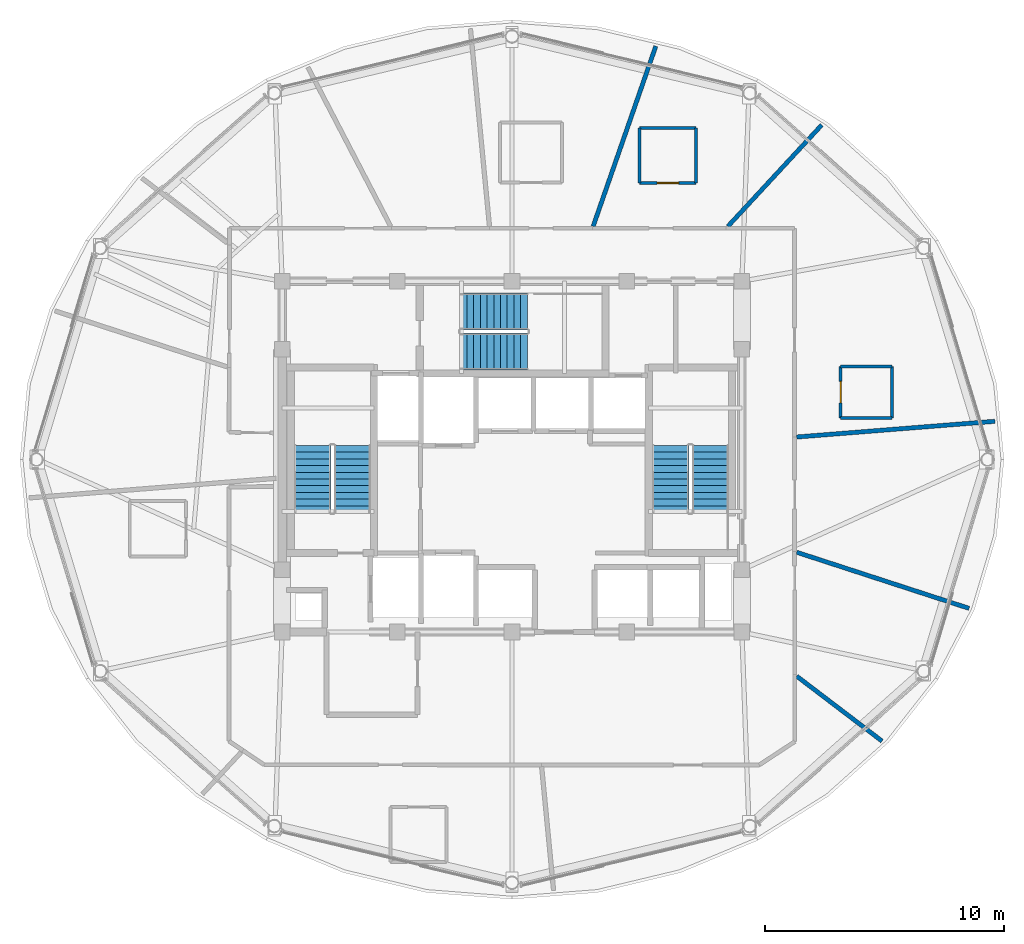
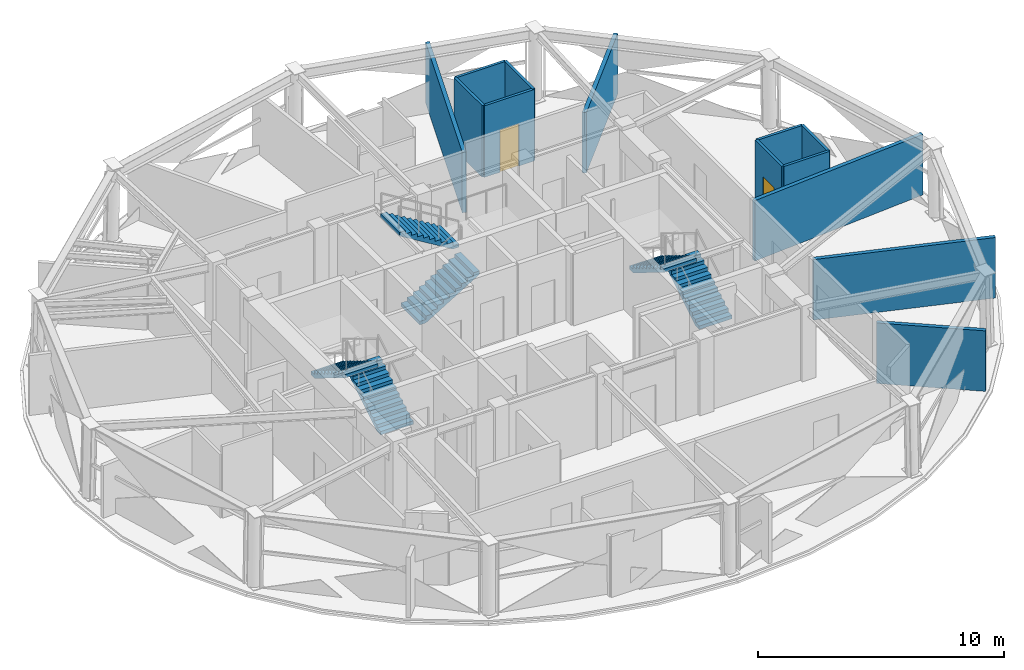
# One storey, part 11 of 15: 13 walls, 6 stair flights, 2 doors, 2 openings, 3 elements without a shape of their own.
"""IFC4 building model written with IfcOpenShell, lengths in metres."""

from ifc_helpers import new_model, si_unit, direction, frame, frame_2d, origin, place, context, subcontext, project, spatial, polyline, rectangle, outline, extrude, material, layer, layer_set, type_object, element, fill, aggregate, save


model = new_model("IFC4")

# Units and contexts
model_context = context("Model", 3, precision=1e-05, world=origin(), true_north=direction((0.0, 1.0)))
body_context = subcontext(model_context, "Body", "Model", "MODEL_VIEW")
ifc_project = project(units=[si_unit("LENGTHUNIT", "METRE"), si_unit("AREAUNIT", "SQUARE_METRE"), si_unit("VOLUMEUNIT", "CUBIC_METRE"), si_unit("PLANEANGLEUNIT", "RADIAN"), si_unit("MASSUNIT", "GRAM", prefix="KILO")], contexts=[model_context])

# Site, building, storey
site_placement = place(None, origin())
site = spatial("IfcSite", under=ifc_project, at=site_placement, CompositionType="ELEMENT")
building_placement = place(site_placement, origin())
building = spatial("IfcBuilding", under=site, at=building_placement, Name="Vantalir Tower", CompositionType="ELEMENT")
storey_placement = place(building_placement, frame((0.0, 0.0, 263.85009765625)))
storey = spatial("IfcBuildingStorey", under=building, at=storey_placement, Name="L66", CompositionType="ELEMENT", Elevation=263.85009765625)

# Walls
ifc_material_1 = material(Name="Moisture-resistant en-suite partition", Category="gypsum")
ifc_layer_1 = layer(ifc_material_1, 0.125)
ifc_layer_set_1 = layer_set([ifc_layer_1], Name="Moisture-resistant en-suite partition")
wall_type_1 = type_object("IfcWallType", Name="WL-BATH-125", PredefinedType="PARTITIONING", material=ifc_layer_set_1)
for number, where, z_axis, x_axis, name in (
    (1, (45.22509765625, 26.742919921875, 0.0), (0.0, 0.0, 1.0), (1.0, 0.0, 0.0), "L66 En-suite 01 South Wall"),
    (2, (45.22509765625, 28.89306640625, 0.0), (0.0, 0.0, 1.0), (1.0, 0.0, 0.0), "L66 En-suite 01 North Wall"),
):
    element("IfcWall", number, at=place(storey_placement, frame(where, z_axis=z_axis, x_axis=x_axis)), inside=storey, type_object=wall_type_1, Name=name, PredefinedType="PARTITIONING", context=body_context, shape_type="SweptSolid", body=[
        extrude(rectangle(XDim=2.14990234375, YDim=0.125, at=frame_2d((1.074951171875, 0.0))), origin(), (0.0, 0.0, 1.0), 3.5498046875),
    ])

# Wall, opening, door
wall_1_placement = place(storey_placement, frame((45.22509765625, 26.742919921875, 0.0), z_axis=(0.0, 0.0, 1.0), x_axis=(0.0, 1.0, 0.0)))
wall_1 = element("IfcWall", 3, at=wall_1_placement, inside=storey, type_object=wall_type_1, Name="L66 En-suite 01 West Wall", PredefinedType="PARTITIONING", context=body_context, shape_type="SweptSolid", body=[
    extrude(rectangle(XDim=2.150146484375, YDim=0.125, at=frame_2d((1.0751953125, 0.0))), origin(), (0.0, 0.0, 1.0), 3.5498046875),
])
opening_1_placement = place(wall_1_placement, frame((0.625, 0.0, 0.0)))
opening_1 = element("IfcOpeningElement", 4, at=opening_1_placement, cuts=wall_1, Name="Opening D-WC", PredefinedType="OPENING", context=body_context, shape_type="SweptSolid", body=[
    extrude(rectangle(XDim=0.89990234375, YDim=2.10009765625, at=frame_2d((0.449951171875, 1.050048828125))), frame((0.0, 0.072509765625, 0.0), z_axis=(0.0, -1.0, 0.0), x_axis=(1.0, 0.0, 0.0)), (0.0, 0.0, 1.0), 0.14501953125),
])
ifc_material_2 = material(Name="Moisture-resistant hardwood door", Category="wood")
door_type = type_object("IfcDoorType", Name="DR-ENSUITE-900", OperationType="NOTDEFINED", PredefinedType="DOOR", material=ifc_material_2)
door_1_placement = place(opening_1_placement, frame((0.89990234375, 0.0, 0.0), z_axis=(0.0, 0.0, 1.0), x_axis=(-1.0, 0.0, 0.0)))
door_1 = element("IfcDoor", 5, at=door_1_placement, inside=storey, type_object=door_type, Name="L66 En-suite 01 Door", OperationType="SINGLE_SWING_RIGHT", OverallHeight=2.10009765625, OverallWidth=0.89990234375, PredefinedType="DOOR", context=body_context, shape_type="SweptSolid", body=[
    extrude(rectangle(XDim=0.89990234375, YDim=2.10009765625, at=frame_2d((0.449951171875, 1.050048828125))), frame((0.0, 0.02490234375, 0.0), z_axis=(0.0, -1.0, 0.0), x_axis=(1.0, 0.0, 0.0)), (0.0, 0.0, 1.0), 0.050048828125),
])
fill(opening_1, door_1)

# Wall
wall_2_placement = place(storey_placement, frame((47.375, 26.742919921875, 0.0), z_axis=(0.0, 0.0, 1.0), x_axis=(0.0, 1.0, 0.0)))
element("IfcWall", 6, at=wall_2_placement, inside=storey, type_object=wall_type_1, Name="L66 En-suite 01 East Wall", PredefinedType="PARTITIONING", context=body_context, shape_type="SweptSolid", body=[
    extrude(rectangle(XDim=2.150146484375, YDim=0.125, at=frame_2d((1.0751953125, 0.0))), origin(), (0.0, 0.0, 1.0), 3.5498046875),
])

# Wall, opening, door
wall_3_placement = place(storey_placement, frame((36.8330078125, 36.550048828125, 0.0), z_axis=(0.0, 0.0, 1.0), x_axis=(1.0, 0.0, 0.0)))
wall_3 = element("IfcWall", 7, at=wall_3_placement, inside=storey, type_object=wall_type_1, Name="L66 En-suite 02 South Wall", PredefinedType="PARTITIONING", context=body_context, shape_type="SweptSolid", body=[
    extrude(rectangle(XDim=2.35009765625, YDim=0.125, at=frame_2d((1.175048828125, 0.0))), origin(), (0.0, 0.0, 1.0), 3.5498046875),
])
opening_2_placement = place(wall_3_placement, frame((0.72509765625, 0.0, 0.0)))
opening_2 = element("IfcOpeningElement", 8, at=opening_2_placement, cuts=wall_3, Name="Opening D-WC", PredefinedType="OPENING", context=body_context, shape_type="SweptSolid", body=[
    extrude(rectangle(XDim=0.89990234375, YDim=2.10009765625, at=frame_2d((0.449951171875, 1.050048828125))), frame((0.0, 0.072509765625, 0.0), z_axis=(0.0, -1.0, 0.0), x_axis=(1.0, 0.0, 0.0)), (0.0, 0.0, 1.0), 0.14501953125),
])
door_2_placement = place(opening_2_placement, origin())
door_2 = element("IfcDoor", 9, at=door_2_placement, inside=storey, type_object=door_type, Name="L66 En-suite 02 Door", OperationType="SINGLE_SWING_LEFT", OverallHeight=2.10009765625, OverallWidth=0.89990234375, PredefinedType="DOOR", context=body_context, shape_type="SweptSolid", body=[
    extrude(rectangle(XDim=0.89990234375, YDim=2.10009765625, at=frame_2d((0.449951171875, 1.050048828125))), frame((0.0, 0.02490234375, 0.0), z_axis=(0.0, -1.0, 0.0), x_axis=(1.0, 0.0, 0.0)), (0.0, 0.0, 1.0), 0.050048828125),
])
fill(opening_2, door_2)

# Walls
wall_4_placement = place(storey_placement, frame((36.8330078125, 38.85009765625, 0.0), z_axis=(0.0, 0.0, 1.0), x_axis=(1.0, 0.0, 0.0)))
element("IfcWall", 10, at=wall_4_placement, inside=storey, type_object=wall_type_1, Name="L66 En-suite 02 North Wall", PredefinedType="PARTITIONING", context=body_context, shape_type="SweptSolid", body=[
    extrude(rectangle(XDim=2.35009765625, YDim=0.125, at=frame_2d((1.175048828125, 0.0))), origin(), (0.0, 0.0, 1.0), 3.5498046875),
])
for number, where, z_axis, x_axis, name in (
    (11, (36.8330078125, 36.550048828125, 0.0), (0.0, 0.0, 1.0), (0.0, 1.0, 0.0), "L66 En-suite 02 West Wall"),
    (12, (39.18310546875, 36.550048828125, 0.0), (0.0, 0.0, 1.0), (0.0, 1.0, 0.0), "L66 En-suite 02 East Wall"),
):
    element("IfcWall", number, at=place(storey_placement, frame(where, z_axis=z_axis, x_axis=x_axis)), inside=storey, type_object=wall_type_1, Name=name, PredefinedType="PARTITIONING", context=body_context, shape_type="SweptSolid", body=[
        extrude(rectangle(XDim=2.300048828125, YDim=0.125, at=frame_2d((1.14990234375, 0.0))), origin(), (0.0, 0.0, 1.0), 3.5498046875),
    ])
ifc_material_3 = material(Name="Twin-stud acoustic fire-rated gypsum partition", Category="gypsum")
ifc_layer_2 = layer(ifc_material_3, 0.179931640625)
ifc_layer_set_2 = layer_set([ifc_layer_2], Name="Twin-stud acoustic fire-rated gypsum partition")
wall_type_2 = type_object("IfcWallType", Name="WL-GUEST-180", PredefinedType="PARTITIONING", material=ifc_layer_set_2)
wall_5_placement = place(storey_placement, frame((43.389892578125, 25.943115234375, 0.0), z_axis=(0.0, 0.0, 1.0), x_axis=(0.996871061392, 0.079044841442, 0.0)))
element("IfcWall", 13, at=wall_5_placement, inside=storey, type_object=wall_type_2, Name="L66 Radial Suite Partition 01", PredefinedType="PARTITIONING", context=body_context, shape_type="SweptSolid", body=[
    extrude(rectangle(XDim=8.299072265625, YDim=0.179931640625, at=frame_2d((4.1494140625, 0.0))), origin(), (0.0, 0.0, 1.0), 3.0029296875),
])
wall_6_placement = place(storey_placement, frame((40.514892578125, 34.739990234375, 0.0), z_axis=(0.0, 0.0, 1.0), x_axis=(0.679264460115, 0.733893584401, 0.0)))
element("IfcWall", 14, at=wall_6_placement, inside=storey, type_object=wall_type_2, Name="L66 Radial Suite Partition 02", PredefinedType="PARTITIONING", context=body_context, shape_type="SweptSolid", body=[
    extrude(rectangle(XDim=5.76513671875, YDim=0.179931640625, at=frame_2d((2.882568359375, 0.0))), origin(), (0.0, 0.0, 1.0), 3.0029296875),
])
wall_7_placement = place(storey_placement, frame((34.887939453125, 34.739990234375, 0.0), z_axis=(0.0, 0.0, 1.0), x_axis=(0.328512304062, 0.944499690884, 0.0)))
element("IfcWall", 15, at=wall_7_placement, inside=storey, type_object=wall_type_2, Name="L66 Radial Suite Partition 03", PredefinedType="PARTITIONING", context=body_context, shape_type="SweptSolid", body=[
    extrude(rectangle(XDim=7.966064453125, YDim=0.179931640625, at=frame_2d((3.98291015625, 0.0))), origin(), (0.0, 0.0, 1.0), 3.0029296875),
])
wall_8_placement = place(storey_placement, frame((43.389892578125, 15.955078125, 0.0), z_axis=(0.0, 0.0, 1.0), x_axis=(0.795937236287, -0.605379150526, 0.0)))
element("IfcWall", 16, at=wall_8_placement, inside=storey, type_object=wall_type_2, Name="L66 Radial Suite Partition 11", PredefinedType="PARTITIONING", context=body_context, shape_type="SweptSolid", body=[
    extrude(rectangle(XDim=4.4765625, YDim=0.179931640625, at=frame_2d((2.23828125, 0.0))), origin(), (0.0, 0.0, 1.0), 3.0029296875),
])
wall_9_placement = place(storey_placement, frame((43.389892578125, 21.1298828125, 0.0), z_axis=(0.0, 0.0, 1.0), x_axis=(0.950901014296, -0.309495171224, 0.0)))
element("IfcWall", 17, at=wall_9_placement, inside=storey, type_object=wall_type_2, Name="L66 Radial Suite Partition 12", PredefinedType="PARTITIONING", context=body_context, shape_type="SweptSolid", body=[
    extrude(rectangle(XDim=7.569580078125, YDim=0.179931640625, at=frame_2d((3.78466796875, 0.0))), origin(), (0.0, 0.0, 1.0), 3.0029296875),
])

# Stair, stair flights
ifc_material_4 = material(Name="Concrete C40/50", Category="concrete")
stair_type = type_object("IfcStairType", Name="STR-CORE-1450", PredefinedType="HALF_TURN_STAIR", material=ifc_material_4)
stair_1_placement = place(storey_placement, origin())
stair_1 = element("IfcStair", 18, at=stair_1_placement, inside=storey, type_object=stair_type, Name="L66 Core Exit Stair 1", PredefinedType="HALF_TURN_STAIR")
stair_flight_type = type_object("IfcStairFlightType", Name="FLT-CORE-1450", PredefinedType="STRAIGHT", material=ifc_material_4)
stair_flight_1_placement = place(storey_placement, frame((24.830078125, 22.7900390625, 0.0), z_axis=(0.0, 0.0, 1.0), x_axis=(0.0, 1.0, 0.0)))
stair_flight_1 = element("IfcStairFlight", 19, at=stair_flight_1_placement, type_object=stair_flight_type, Name="ST1 flight 1", NumberOfRisers=11, NumberOfTreads=10, PredefinedType="STRAIGHT", RiserHeight=0.170454545, TreadLength=0.28, context=body_context, shape_type="SweptSolid", body=[
    extrude(outline(polyline([(0.0, 0.0), (0.0, 0.17041015625), (0.280029296875, 0.17041015625), (0.280029296875, 0.3408203125), (0.56005859375, 0.3408203125), (0.56005859375, 0.511474609375), (0.840087890625, 0.511474609375), (0.840087890625, 0.681884765625), (1.1201171875, 0.681884765625), (1.1201171875, 0.852294921875), (1.39990234375, 0.852294921875), (1.39990234375, 1.022705078125), (1.679931640625, 1.022705078125), (1.679931640625, 1.193115234375), (1.9599609375, 1.193115234375), (1.9599609375, 1.363525390625), (2.239990234375, 1.363525390625), (2.239990234375, 1.5341796875), (2.52001953125, 1.5341796875), (2.52001953125, 1.70458984375), (2.800048828125, 1.70458984375), (2.800048828125, 1.875), (2.800048828125, 1.529052734375), (0.288330078125, 0.0), (0.0, 0.0)])), frame((0.0, 0.77001953125, 0.0), z_axis=(0.0, -1.0, 0.0), x_axis=(1.0, 0.0, 0.0)), (0.0, 0.0, 1.0), 1.5400390625),
])
stair_flight_2_placement = place(storey_placement, frame((23.169921875, 25.590087890625, 1.875), z_axis=(0.0, 0.0, 1.0), x_axis=(0.0, -1.0, 0.0)))
stair_flight_2 = element("IfcStairFlight", 20, at=stair_flight_2_placement, type_object=stair_flight_type, Name="ST1 flight 2", NumberOfRisers=11, NumberOfTreads=10, PredefinedType="STRAIGHT", RiserHeight=0.170454545, TreadLength=0.28, context=body_context, shape_type="SweptSolid", body=[
    extrude(outline(polyline([(0.0, 0.0), (0.0, 0.17041015625), (0.280029296875, 0.17041015625), (0.280029296875, 0.3408203125), (0.56005859375, 0.3408203125), (0.56005859375, 0.511474609375), (0.840087890625, 0.511474609375), (0.840087890625, 0.681884765625), (1.1201171875, 0.681884765625), (1.1201171875, 0.852294921875), (1.39990234375, 0.852294921875), (1.39990234375, 1.022705078125), (1.679931640625, 1.022705078125), (1.679931640625, 1.193115234375), (1.9599609375, 1.193115234375), (1.9599609375, 1.363525390625), (2.239990234375, 1.363525390625), (2.239990234375, 1.5341796875), (2.52001953125, 1.5341796875), (2.52001953125, 1.70458984375), (2.800048828125, 1.70458984375), (2.800048828125, 1.875), (2.800048828125, 1.529052734375), (0.288330078125, 0.0), (0.0, 0.0)])), frame((0.0, 0.77001953125, 0.0), z_axis=(0.0, -1.0, 0.0), x_axis=(1.0, 0.0, 0.0)), (0.0, 0.0, 1.0), 1.5400390625),
])
aggregate(stair_1, [stair_flight_1, stair_flight_2])

stair_2_placement = place(storey_placement, origin())
stair_2 = element("IfcStair", 21, at=stair_2_placement, inside=storey, type_object=stair_type, Name="L66 Core Exit Stair 2", PredefinedType="HALF_TURN_STAIR")
stair_flight_3_placement = place(storey_placement, frame((39.780029296875, 22.7900390625, 0.0), z_axis=(0.0, 0.0, 1.0), x_axis=(0.0, 1.0, 0.0)))
stair_flight_3 = element("IfcStairFlight", 22, at=stair_flight_3_placement, type_object=stair_flight_type, Name="ST2 flight 1", NumberOfRisers=11, NumberOfTreads=10, PredefinedType="STRAIGHT", RiserHeight=0.170454545, TreadLength=0.28, context=body_context, shape_type="SweptSolid", body=[
    extrude(outline(polyline([(0.0, 0.0), (0.0, 0.17041015625), (0.280029296875, 0.17041015625), (0.280029296875, 0.3408203125), (0.56005859375, 0.3408203125), (0.56005859375, 0.511474609375), (0.840087890625, 0.511474609375), (0.840087890625, 0.681884765625), (1.1201171875, 0.681884765625), (1.1201171875, 0.852294921875), (1.39990234375, 0.852294921875), (1.39990234375, 1.022705078125), (1.679931640625, 1.022705078125), (1.679931640625, 1.193115234375), (1.9599609375, 1.193115234375), (1.9599609375, 1.363525390625), (2.239990234375, 1.363525390625), (2.239990234375, 1.5341796875), (2.52001953125, 1.5341796875), (2.52001953125, 1.70458984375), (2.800048828125, 1.70458984375), (2.800048828125, 1.875), (2.800048828125, 1.529052734375), (0.288330078125, 0.0), (0.0, 0.0)])), frame((0.0, 0.77001953125, 0.0), z_axis=(0.0, -1.0, 0.0), x_axis=(1.0, 0.0, 0.0)), (0.0, 0.0, 1.0), 1.5400390625),
])
stair_flight_4_placement = place(storey_placement, frame((38.1201171875, 25.590087890625, 1.875), z_axis=(0.0, 0.0, 1.0), x_axis=(0.0, -1.0, 0.0)))
stair_flight_4 = element("IfcStairFlight", 23, at=stair_flight_4_placement, type_object=stair_flight_type, Name="ST2 flight 2", NumberOfRisers=11, NumberOfTreads=10, PredefinedType="STRAIGHT", RiserHeight=0.170454545, TreadLength=0.28, context=body_context, shape_type="SweptSolid", body=[
    extrude(outline(polyline([(0.0, 0.0), (0.0, 0.17041015625), (0.280029296875, 0.17041015625), (0.280029296875, 0.3408203125), (0.56005859375, 0.3408203125), (0.56005859375, 0.511474609375), (0.840087890625, 0.511474609375), (0.840087890625, 0.681884765625), (1.1201171875, 0.681884765625), (1.1201171875, 0.852294921875), (1.39990234375, 0.852294921875), (1.39990234375, 1.022705078125), (1.679931640625, 1.022705078125), (1.679931640625, 1.193115234375), (1.9599609375, 1.193115234375), (1.9599609375, 1.363525390625), (2.239990234375, 1.363525390625), (2.239990234375, 1.5341796875), (2.52001953125, 1.5341796875), (2.52001953125, 1.70458984375), (2.800048828125, 1.70458984375), (2.800048828125, 1.875), (2.800048828125, 1.529052734375), (0.288330078125, 0.0), (0.0, 0.0)])), frame((0.0, 0.77001953125, 0.0), z_axis=(0.0, -1.0, 0.0), x_axis=(1.0, 0.0, 0.0)), (0.0, 0.0, 1.0), 1.5400390625),
])
aggregate(stair_2, [stair_flight_3, stair_flight_4])

stair_3_placement = place(storey_placement, origin())
stair_3 = element("IfcStair", 24, at=stair_3_placement, inside=storey, type_object=stair_type, Name="L66 Core Exit Stair 3", PredefinedType="HALF_TURN_STAIR")
stair_flight_5_placement = place(storey_placement, frame((29.340087890625, 29.52001953125, 0.0), z_axis=(0.0, 0.0, 1.0), x_axis=(1.0, 0.0, 0.0)))
stair_flight_5 = element("IfcStairFlight", 25, at=stair_flight_5_placement, type_object=stair_flight_type, Name="ST3 flight 1", NumberOfRisers=11, NumberOfTreads=10, PredefinedType="STRAIGHT", RiserHeight=0.170454545, TreadLength=0.28, context=body_context, shape_type="SweptSolid", body=[
    extrude(outline(polyline([(0.0, 0.0), (0.0, 0.17041015625), (0.280029296875, 0.17041015625), (0.280029296875, 0.3408203125), (0.56005859375, 0.3408203125), (0.56005859375, 0.511474609375), (0.840087890625, 0.511474609375), (0.840087890625, 0.681884765625), (1.1201171875, 0.681884765625), (1.1201171875, 0.852294921875), (1.39990234375, 0.852294921875), (1.39990234375, 1.022705078125), (1.679931640625, 1.022705078125), (1.679931640625, 1.193115234375), (1.9599609375, 1.193115234375), (1.9599609375, 1.363525390625), (2.239990234375, 1.363525390625), (2.239990234375, 1.5341796875), (2.52001953125, 1.5341796875), (2.52001953125, 1.70458984375), (2.800048828125, 1.70458984375), (2.800048828125, 1.875), (2.800048828125, 1.529052734375), (0.288330078125, 0.0), (0.0, 0.0)])), frame((0.0, 0.77001953125, 0.0), z_axis=(0.0, -1.0, 0.0), x_axis=(1.0, 0.0, 0.0)), (0.0, 0.0, 1.0), 1.5400390625),
])
stair_flight_6_placement = place(storey_placement, frame((32.139892578125, 31.179931640625, 1.875), z_axis=(0.0, 0.0, 1.0), x_axis=(-1.0, 0.0, 0.0)))
stair_flight_6 = element("IfcStairFlight", 26, at=stair_flight_6_placement, type_object=stair_flight_type, Name="ST3 flight 2", NumberOfRisers=11, NumberOfTreads=10, PredefinedType="STRAIGHT", RiserHeight=0.170454545, TreadLength=0.28, context=body_context, shape_type="SweptSolid", body=[
    extrude(outline(polyline([(0.0, 0.0), (0.0, 0.17041015625), (0.280029296875, 0.17041015625), (0.280029296875, 0.3408203125), (0.56005859375, 0.3408203125), (0.56005859375, 0.511474609375), (0.840087890625, 0.511474609375), (0.840087890625, 0.681884765625), (1.1201171875, 0.681884765625), (1.1201171875, 0.852294921875), (1.39990234375, 0.852294921875), (1.39990234375, 1.022705078125), (1.679931640625, 1.022705078125), (1.679931640625, 1.193115234375), (1.9599609375, 1.193115234375), (1.9599609375, 1.363525390625), (2.239990234375, 1.363525390625), (2.239990234375, 1.5341796875), (2.52001953125, 1.5341796875), (2.52001953125, 1.70458984375), (2.800048828125, 1.70458984375), (2.800048828125, 1.875), (2.800048828125, 1.529052734375), (0.288330078125, 0.0), (0.0, 0.0)])), frame((0.0, 0.77001953125, 0.0), z_axis=(0.0, -1.0, 0.0), x_axis=(1.0, 0.0, 0.0)), (0.0, 0.0, 1.0), 1.5400390625),
])
aggregate(stair_3, [stair_flight_5, stair_flight_6])

save(model, "model.ifc")
